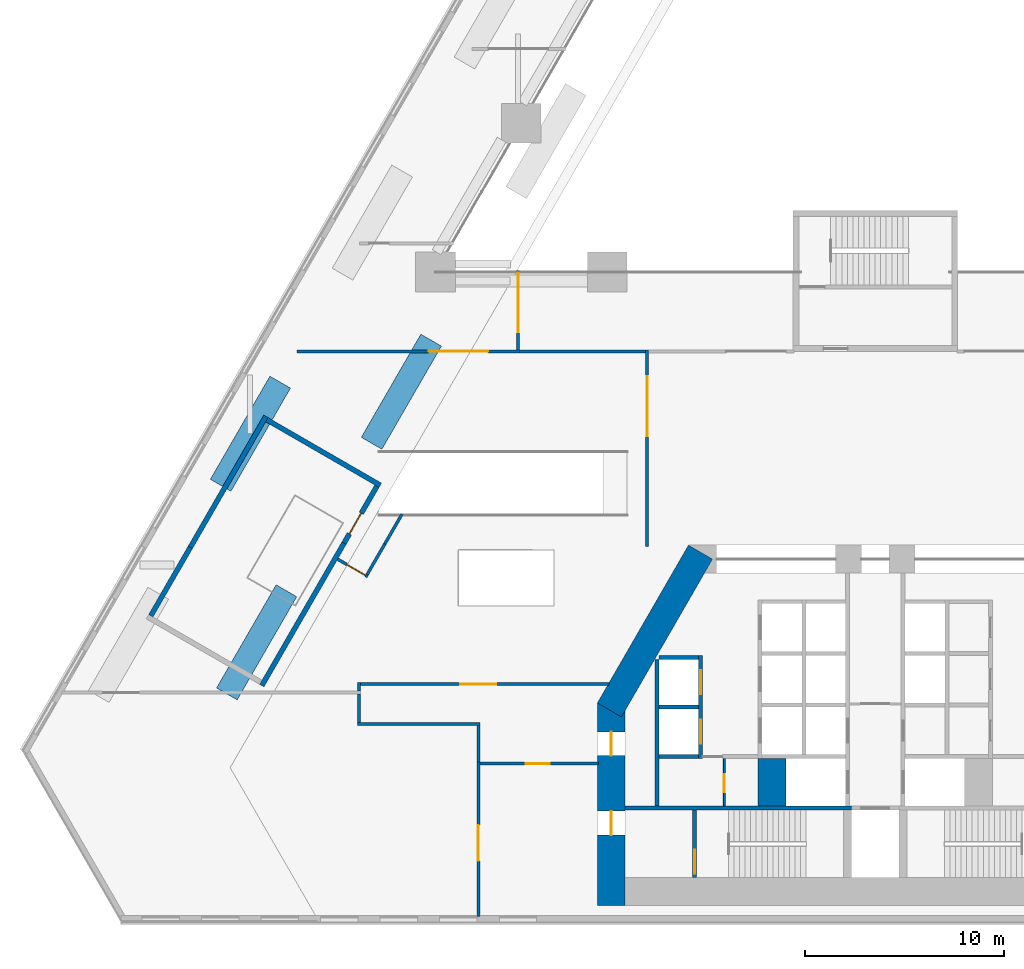
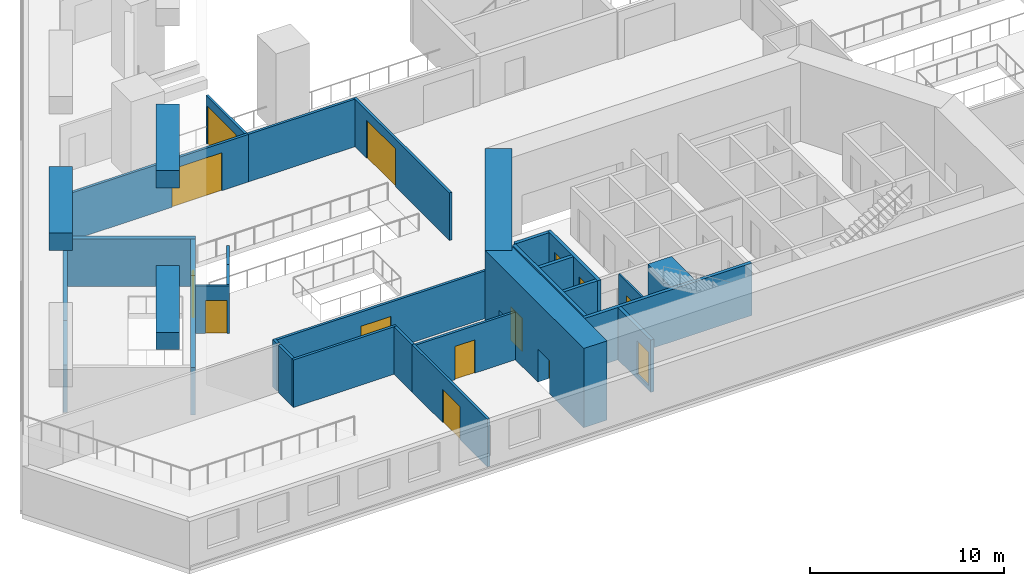
# One storey, part 7 of 19: 33 walls, 14 doors, 14 openings.
"""IFC4 building model written with IfcOpenShell, lengths in metres."""

from ifc_helpers import new_model, si_unit, direction, frame, frame_2d, origin, place, context, subcontext, project, spatial, polyline, rectangle, outline, extrude, material, layer, layer_set, type_object, element, fill, save


model = new_model("IFC4")

# Units and contexts
model_context = context("Model", 3, precision=1e-05, world=origin(), true_north=direction((0.0, 1.0)))
body_context = subcontext(model_context, "Body", "Model", "MODEL_VIEW")
ifc_project = project(units=[si_unit("LENGTHUNIT", "METRE"), si_unit("AREAUNIT", "SQUARE_METRE"), si_unit("VOLUMEUNIT", "CUBIC_METRE"), si_unit("PLANEANGLEUNIT", "RADIAN"), si_unit("MASSUNIT", "GRAM", prefix="KILO")], contexts=[model_context])

# Site, building, storey
site_placement = place(None, origin())
site = spatial("IfcSite", under=ifc_project, at=site_placement, CompositionType="ELEMENT")
building_placement = place(site_placement, origin())
building = spatial("IfcBuilding", under=site, at=building_placement, Name="Fogline Exchange Tower", CompositionType="ELEMENT")
storey_placement = place(building_placement, frame((0.0, 0.0, 20.0)))
storey = spatial("IfcBuildingStorey", under=building, at=storey_placement, Name="L03", CompositionType="ELEMENT", Elevation=20.0)

# Wall, opening, door
ifc_material_1 = material(Name="Blockwork partition", Category="masonry")
ifc_layer_1 = layer(ifc_material_1, 0.10009765625)
ifc_layer_set_1 = layer_set([ifc_layer_1], Name="CW10")
wall_type_1 = type_object("IfcWallType", Name="CW10", PredefinedType="PARTITIONING", material=ifc_layer_set_1)
wall_1_placement = place(storey_placement, frame((-7.60009765625, 5.85009765625, 0.0), z_axis=(0.0, 0.0, 1.0), x_axis=(0.0, 1.0, 0.0)))
wall_1 = element("IfcWall", 1, at=wall_1_placement, inside=storey, type_object=wall_type_1, Name="WC partition", PredefinedType="PARTITIONING", context=body_context, shape_type="SweptSolid", body=[
    extrude(rectangle(XDim=2.39990234375, YDim=0.10009765625, at=frame_2d((1.199951171875, 0.0))), origin(), (0.0, 0.0, 1.0), 3.0),
])
opening_1_placement = place(wall_1_placement, frame((0.699951171875, 0.0, 0.0)))
opening_1 = element("IfcOpeningElement", 2, at=opening_1_placement, cuts=wall_1, Name="Opening P03-C008", PredefinedType="OPENING", context=body_context, shape_type="SweptSolid", body=[
    extrude(rectangle(XDim=0.89990234375, YDim=2.10009765625, at=frame_2d((0.449951171875, 1.050048828125))), frame((0.0, 0.06005859375, 0.0), z_axis=(0.0, -1.0, 0.0), x_axis=(1.0, 0.0, 0.0)), (0.0, 0.0, 1.0), 0.1201171875),
])
ifc_material_2 = material(Name="Steel and timber fire door", Category="steel")
door_type_1 = type_object("IfcDoorType", Name="D-CS1", OperationType="SINGLE_SWING_RIGHT", PredefinedType="DOOR", material=ifc_material_2)
door_1_placement = place(opening_1_placement, frame((0.89990234375, 0.0, 0.0), z_axis=(0.0, 0.0, 1.0), x_axis=(-1.0, 0.0, 0.0)))
door_1 = element("IfcDoor", 3, at=door_1_placement, inside=storey, type_object=door_type_1, Name="Door to Cleaner's Store", OperationType="SINGLE_SWING_RIGHT", OverallHeight=2.10009765625, OverallWidth=0.89990234375, PredefinedType="DOOR", context=body_context, shape_type="SweptSolid", body=[
    extrude(rectangle(XDim=0.89990234375, YDim=2.10009765625, at=frame_2d((0.449951171875, 1.050048828125))), frame((0.0, 0.02490234375, 0.0), z_axis=(0.0, -1.0, 0.0), x_axis=(1.0, 0.0, 0.0)), (0.0, 0.0, 1.0), 0.050048828125),
])
fill(opening_1, door_1)

# Walls
ifc_material_3 = material(Name="Concrete C60", Category="concrete")
ifc_layer_2 = layer(ifc_material_3, 1.39990234375)
ifc_layer_set_2 = layer_set([ifc_layer_2], Name="CW140")
wall_type_2 = type_object("IfcWallType", Name="CW140", PredefinedType="SOLIDWALL", material=ifc_layer_set_2)
wall_2_placement = place(storey_placement, frame((-5.199951171875, 5.85009765625, -0.300048828125), z_axis=(0.0, 0.0, 1.0), x_axis=(0.0, 1.0, 0.0)))
element("IfcWall", 4, at=wall_2_placement, inside=storey, type_object=wall_type_2, Name="Lift shaft block wall", PredefinedType="SOLIDWALL", context=body_context, shape_type="SweptSolid", body=[
    extrude(rectangle(XDim=2.39990234375, YDim=1.39990234375, at=frame_2d((1.199951171875, 0.0))), origin(), (0.0, 0.0, 1.0), 3.300048828125),
])
ifc_material_4 = material(Name="Concrete C40", Category="concrete")
ifc_layer_3 = layer(ifc_material_4, 0.199951171875)
ifc_layer_set_3 = layer_set([ifc_layer_3], Name="CW20")
wall_type_3 = type_object("IfcWallType", Name="CW20", PredefinedType="SOLIDWALL", material=ifc_layer_set_3)
wall_3_placement = place(storey_placement, frame((-11.0, 5.85009765625, 0.0), z_axis=(0.0, 0.0, 1.0), x_axis=(0.0, 1.0, 0.0)))
element("IfcWall", 5, at=wall_3_placement, inside=storey, type_object=wall_type_3, Name="Service room wall", PredefinedType="SOLIDWALL", context=body_context, shape_type="SweptSolid", body=[
    extrude(rectangle(XDim=7.39990234375, YDim=0.199951171875, at=frame_2d((3.699951171875, 0.0))), origin(), (0.0, 0.0, 1.0), 3.0),
])
ifc_layer_4 = layer(ifc_material_4, 0.199951171875)
ifc_layer_set_4 = layer_set([ifc_layer_4], Name="CW20R")
wall_type_4 = type_object("IfcWallType", Name="CW20R", PredefinedType="SOLIDWALL", material=ifc_layer_set_4)
wall_4_placement = place(storey_placement, frame((-12.60009765625, 5.75, -0.300048828125), z_axis=(0.0, 0.0, 1.0), x_axis=(1.0, 0.0, 0.0)))
element("IfcWall", 6, at=wall_4_placement, inside=storey, type_object=wall_type_4, Name="Stair enclosure wall", PredefinedType="SOLIDWALL", context=body_context, shape_type="SweptSolid", body=[
    extrude(rectangle(XDim=11.400146484375, YDim=0.199951171875, at=frame_2d((5.7001953125, 0.0))), origin(), (0.0, 0.0, 1.0), 3.300048828125),
])

# Wall, opening, door
wall_5_placement = place(storey_placement, frame((-9.10009765625, 2.25, -0.300048828125), z_axis=(0.0, 0.0, 1.0), x_axis=(0.0, 1.0, 0.0)))
wall_5 = element("IfcWall", 7, at=wall_5_placement, inside=storey, type_object=wall_type_4, Name="Stair enclosure wall", PredefinedType="SOLIDWALL", context=body_context, shape_type="SweptSolid", body=[
    extrude(rectangle(XDim=3.39990234375, YDim=0.199951171875, at=frame_2d((1.699951171875, 0.0))), origin(), (0.0, 0.0, 1.0), 3.300048828125),
])
opening_2_placement = place(wall_5_placement, frame((0.199951171875, 0.0, 0.300048828125)))
opening_2 = element("IfcOpeningElement", 8, at=opening_2_placement, cuts=wall_5, Name="Opening P03-C010", PredefinedType="OPENING", context=body_context, shape_type="SweptSolid", body=[
    extrude(rectangle(XDim=1.199951171875, YDim=2.10009765625, at=frame_2d((0.60009765625, 1.050048828125))), frame((0.0, 0.10986328125, 0.0), z_axis=(0.0, -1.0, 0.0), x_axis=(1.0, 0.0, 0.0)), (0.0, 0.0, 1.0), 0.219970703125),
])
door_type_2 = type_object("IfcDoorType", Name="D-ST1", OperationType="SINGLE_SWING_LEFT", PredefinedType="DOOR", material=ifc_material_2)
door_2_placement = place(opening_2_placement, frame((1.199951171875, 0.0, 0.0), z_axis=(0.0, 0.0, 1.0), x_axis=(-1.0, 0.0, 0.0)))
door_2 = element("IfcDoor", 9, at=door_2_placement, inside=storey, type_object=door_type_2, Name="Stair door ST1", OperationType="SINGLE_SWING_RIGHT", OverallHeight=2.10009765625, OverallWidth=1.199951171875, PredefinedType="DOOR", context=body_context, shape_type="SweptSolid", body=[
    extrude(rectangle(XDim=1.199951171875, YDim=2.10009765625, at=frame_2d((0.60009765625, 1.050048828125))), frame((0.0, 0.02490234375, 0.0), z_axis=(0.0, -1.0, 0.0), x_axis=(1.0, 0.0, 0.0)), (0.0, 0.0, 1.0), 0.050048828125),
])
fill(opening_2, door_2)

# Wall, openings, doors
ifc_layer_5 = layer(ifc_material_4, 0.199951171875)
ifc_layer_set_5 = layer_set([ifc_layer_5], Name="CW20S")
wall_type_5 = type_object("IfcWallType", Name="CW20S", PredefinedType="SOLIDWALL", material=ifc_layer_set_5)
wall_6_placement = place(storey_placement, frame((-8.800048828125, 8.25, -0.300048828125), z_axis=(0.0, 0.0, 1.0), x_axis=(0.0, 1.0, 0.0)))
wall_6 = element("IfcWall", 10, at=wall_6_placement, inside=storey, type_object=wall_type_5, Name="Lift shaft wall", PredefinedType="SOLIDWALL", context=body_context, shape_type="SweptSolid", body=[
    extrude(rectangle(XDim=5.199951171875, YDim=0.199951171875, at=frame_2d((2.60009765625, 0.0))), origin(), (0.0, 0.0, 1.0), 3.300048828125),
])
opening_3_placement = place(wall_6_placement, frame((0.75, 0.0, 0.300048828125)))
opening_3 = element("IfcOpeningElement", 11, at=opening_3_placement, cuts=wall_6, Name="Opening P03-LD01", PredefinedType="OPENING", context=body_context, shape_type="SweptSolid", body=[
    extrude(rectangle(XDim=1.199951171875, YDim=2.10009765625, at=frame_2d((0.60009765625, 1.050048828125))), frame((0.0, 0.10986328125, 0.0), z_axis=(0.0, -1.0, 0.0), x_axis=(1.0, 0.0, 0.0)), (0.0, 0.0, 1.0), 0.219970703125),
])
opening_4_placement = place(wall_6_placement, frame((3.25, 0.0, 0.300048828125)))
opening_4 = element("IfcOpeningElement", 12, at=opening_4_placement, cuts=wall_6, Name="Opening P03-LD02", PredefinedType="OPENING", context=body_context, shape_type="SweptSolid", body=[
    extrude(rectangle(XDim=1.199951171875, YDim=2.10009765625, at=frame_2d((0.60009765625, 1.050048828125))), frame((0.0, 0.10986328125, 0.0), z_axis=(0.0, -1.0, 0.0), x_axis=(1.0, 0.0, 0.0)), (0.0, 0.0, 1.0), 0.219970703125),
])
door_type_3 = type_object("IfcDoorType", Name="LD1", OperationType="SLIDING_TO_LEFT", PredefinedType="DOOR", material=ifc_material_2)
door_3_placement = place(opening_3_placement, origin())
door_3 = element("IfcDoor", 13, at=door_3_placement, inside=storey, type_object=door_type_3, Name="Landing door LR1", OperationType="SLIDING_TO_LEFT", OverallHeight=2.10009765625, OverallWidth=1.199951171875, PredefinedType="DOOR", context=body_context, shape_type="SweptSolid", body=[
    extrude(rectangle(XDim=1.199951171875, YDim=2.10009765625, at=frame_2d((0.60009765625, 1.050048828125))), frame((0.0, 0.02490234375, 0.0), z_axis=(0.0, -1.0, 0.0), x_axis=(1.0, 0.0, 0.0)), (0.0, 0.0, 1.0), 0.050048828125),
])
fill(opening_3, door_3)
door_4_placement = place(opening_4_placement, origin())
door_4 = element("IfcDoor", 14, at=door_4_placement, inside=storey, type_object=door_type_3, Name="Landing door LR2", OperationType="SLIDING_TO_LEFT", OverallHeight=2.10009765625, OverallWidth=1.199951171875, PredefinedType="DOOR", context=body_context, shape_type="SweptSolid", body=[
    extrude(rectangle(XDim=1.199951171875, YDim=2.10009765625, at=frame_2d((0.60009765625, 1.050048828125))), frame((0.0, 0.02490234375, 0.0), z_axis=(0.0, -1.0, 0.0), x_axis=(1.0, 0.0, 0.0)), (0.0, 0.0, 1.0), 0.050048828125),
])
fill(opening_4, door_4)

# Walls
for number, where, z_axis, x_axis, name in (
    (15, (-10.89990234375, 8.35009765625, -0.300048828125), (0.0, 0.0, 1.0), (1.0, 0.0, 0.0), "Lift shaft wall"),
    (16, (-10.89990234375, 10.85009765625, -0.300048828125), (0.0, 0.0, 1.0), (1.0, 0.0, 0.0), "Lift shaft wall"),
    (17, (-10.89990234375, 13.35009765625, -0.300048828125), (0.0, 0.0, 1.0), (1.0, 0.0, 0.0), "Lift shaft wall"),
):
    element("IfcWall", number, at=place(storey_placement, frame(where, z_axis=z_axis, x_axis=x_axis)), inside=storey, type_object=wall_type_5, Name=name, PredefinedType="SOLIDWALL", context=body_context, shape_type="SweptSolid", body=[
        extrude(rectangle(XDim=2.0, YDim=0.199951171875, at=frame_2d((1.0, 0.0))), origin(), (0.0, 0.0, 1.0), 3.300048828125),
    ])
ifc_material_5 = material(Name="Concrete C30", Category="concrete")
ifc_layer_6 = layer(ifc_material_5, 0.199951171875)
ifc_layer_set_6 = layer_set([ifc_layer_6], Name="PL1")
wall_type_6 = type_object("IfcWallType", Name="PL1", PredefinedType="USERDEFINED", material=ifc_layer_set_6)
wall_7_placement = place(storey_placement, frame((0.0, 0.0, 5.0)))
element("IfcWall", 18, at=wall_7_placement, inside=storey, type_object=wall_type_6, Name="PLANTER podium terrace", ObjectType="PLANTER", PredefinedType="USERDEFINED", context=body_context, shape_type="SweptSolid", body=[
    extrude(outline(polyline([(-33.498779296875, 22.316650390625), (-32.459716796875, 21.716796875), (-29.459716796875, 26.912841796875), (-30.498779296875, 27.5126953125), (-33.498779296875, 22.316650390625)])), origin(), (0.0, 0.0, 1.0), 1.10009765625),
])
wall_8_placement = place(storey_placement, frame((0.0, 0.0, 5.0)))
element("IfcWall", 19, at=wall_8_placement, inside=storey, type_object=wall_type_6, Name="PLANTER podium terrace", ObjectType="PLANTER", PredefinedType="USERDEFINED", context=body_context, shape_type="SweptSolid", body=[
    extrude(outline(polyline([(-21.856689453125, 29.02880859375), (-22.89599609375, 29.62890625), (-25.89599609375, 24.4326171875), (-24.856689453125, 23.832763671875), (-21.856689453125, 29.02880859375)])), origin(), (0.0, 0.0, 1.0), 1.10009765625),
])
wall_9_placement = place(storey_placement, frame((0.0, 0.0, 5.0)))
element("IfcWall", 20, at=wall_9_placement, inside=storey, type_object=wall_type_6, Name="PLANTER podium terrace", ObjectType="PLANTER", PredefinedType="USERDEFINED", context=body_context, shape_type="SweptSolid", body=[
    extrude(outline(polyline([(-29.1455078125, 16.404541015625), (-30.184814453125, 17.00439453125), (-33.184814453125, 11.808349609375), (-32.1455078125, 11.208251953125), (-29.1455078125, 16.404541015625)])), origin(), (0.0, 0.0, 1.0), 1.10009765625),
])

# Wall, opening, door
ifc_material_6 = material(Name="Plasterboard on steel stud", Category="steel")
ifc_layer_7 = layer(ifc_material_6, 0.14990234375)
ifc_layer_set_7 = layer_set([ifc_layer_7], Name="PP1")
wall_type_7 = type_object("IfcWallType", Name="PP1", PredefinedType="PARTITIONING", material=ifc_layer_set_7)
wall_10_placement = place(storey_placement, frame((-19.925048828125, 8.0, 0.0), z_axis=(0.0, 0.0, 1.0), x_axis=(1.0, 0.0, 0.0)))
wall_10 = element("IfcWall", 21, at=wall_10_placement, inside=storey, type_object=wall_type_7, Name="PP1 partition", PredefinedType="PARTITIONING", context=body_context, shape_type="SweptSolid", body=[
    extrude(rectangle(XDim=5.969970703125, YDim=0.14990234375, at=frame_2d((2.98486328125, 0.0))), origin(), (0.0, 0.0, 1.0), 3.0),
])
opening_5_placement = place(wall_10_placement, frame((2.324951171875, 0.0, 0.0)))
opening_5 = element("IfcOpeningElement", 22, at=opening_5_placement, cuts=wall_10, Name="Opening P03-D008", PredefinedType="OPENING", context=body_context, shape_type="SweptSolid", body=[
    extrude(rectangle(XDim=1.199951171875, YDim=2.10009765625, at=frame_2d((0.60009765625, 1.050048828125))), frame((0.0, 0.0849609375, 0.0), z_axis=(0.0, -1.0, 0.0), x_axis=(1.0, 0.0, 0.0)), (0.0, 0.0, 1.0), 0.169921875),
])
ifc_material_7 = material(Name="Steel Q235B", Category="steel")
door_type_4 = type_object("IfcDoorType", Name="PD7", OperationType="SINGLE_SWING_LEFT", PredefinedType="DOOR", material=ifc_material_7)
door_5_placement = place(opening_5_placement, origin())
door_5 = element("IfcDoor", 23, at=door_5_placement, inside=storey, type_object=door_type_4, Name="P03-D008", OperationType="SINGLE_SWING_LEFT", OverallHeight=2.10009765625, OverallWidth=1.199951171875, PredefinedType="DOOR", context=body_context, shape_type="SweptSolid", body=[
    extrude(rectangle(XDim=1.199951171875, YDim=2.10009765625, at=frame_2d((0.60009765625, 1.050048828125))), frame((0.0, 0.02490234375, 0.0), z_axis=(0.0, -1.0, 0.0), x_axis=(1.0, 0.0, 0.0)), (0.0, 0.0, 1.0), 0.050048828125),
])
fill(opening_5, door_5)

wall_11_placement = place(storey_placement, frame((-20.0, 8.074951171875, 0.0), z_axis=(0.0, 0.0, 1.0), x_axis=(0.0, -1.0, 0.0)))
wall_11 = element("IfcWall", 24, at=wall_11_placement, inside=storey, type_object=wall_type_7, Name="PP1 partition", PredefinedType="PARTITIONING", context=body_context, shape_type="SweptSolid", body=[
    extrude(rectangle(XDim=7.780029296875, YDim=0.14990234375, at=frame_2d((3.89013671875, 0.0))), origin(), (0.0, 0.0, 1.0), 3.0),
])
opening_6_placement = place(wall_11_placement, frame((3.175048828125, 0.0, 0.0)))
opening_6 = element("IfcOpeningElement", 25, at=opening_6_placement, cuts=wall_11, Name="Opening P03-D013", PredefinedType="OPENING", context=body_context, shape_type="SweptSolid", body=[
    extrude(rectangle(XDim=1.800048828125, YDim=2.10009765625, at=frame_2d((0.89990234375, 1.050048828125))), frame((0.0, 0.0849609375, 0.0), z_axis=(0.0, -1.0, 0.0), x_axis=(1.0, 0.0, 0.0)), (0.0, 0.0, 1.0), 0.169921875),
])
ifc_material_8 = material(Name="Timber", Category="wood")
door_type_5 = type_object("IfcDoorType", Name="PD3", OperationType="DOUBLE_DOOR_SINGLE_SWING", PredefinedType="DOOR", material=ifc_material_8)
door_6_placement = place(opening_6_placement, frame((1.800048828125, 0.0, 0.0), z_axis=(0.0, 0.0, 1.0), x_axis=(-1.0, 0.0, 0.0)))
door_6 = element("IfcDoor", 26, at=door_6_placement, inside=storey, type_object=door_type_5, Name="P03-D013", OperationType="DOUBLE_DOOR_SINGLE_SWING", OverallHeight=2.10009765625, OverallWidth=1.800048828125, PredefinedType="DOOR", context=body_context, shape_type="SweptSolid", body=[
    extrude(rectangle(XDim=1.800048828125, YDim=2.10009765625, at=frame_2d((0.89990234375, 1.050048828125))), frame((0.0, 0.02490234375, 0.0), z_axis=(0.0, -1.0, 0.0), x_axis=(1.0, 0.0, 0.0)), (0.0, 0.0, 1.0), 0.050048828125),
])
fill(opening_6, door_6)

# Walls
wall_12_placement = place(storey_placement, frame((-20.0, 9.925048828125, 0.0), z_axis=(0.0, 0.0, 1.0), x_axis=(0.0, -1.0, 0.0)))
element("IfcWall", 27, at=wall_12_placement, inside=storey, type_object=wall_type_7, Name="PP1 partition", PredefinedType="PARTITIONING", context=body_context, shape_type="SweptSolid", body=[
    extrude(rectangle(XDim=1.85009765625, YDim=0.14990234375, at=frame_2d((0.925048828125, 0.0))), origin(), (0.0, 0.0, 1.0), 3.0),
])
wall_13_placement = place(storey_placement, frame((-26.074951171875, 10.0, 0.0), z_axis=(0.0, 0.0, 1.0), x_axis=(1.0, 0.0, 0.0)))
element("IfcWall", 28, at=wall_13_placement, inside=storey, type_object=wall_type_7, Name="PP1 partition", PredefinedType="PARTITIONING", context=body_context, shape_type="SweptSolid", body=[
    extrude(rectangle(XDim=6.14990234375, YDim=0.14990234375, at=frame_2d((3.074951171875, 0.0))), origin(), (0.0, 0.0, 1.0), 3.0),
])
wall_14_placement = place(storey_placement, frame((-26.0, 11.4951171875, 0.0), z_axis=(0.0, 0.0, 1.0), x_axis=(0.0, -1.0, 0.0)))
element("IfcWall", 29, at=wall_14_placement, inside=storey, type_object=wall_type_7, Name="PP1 partition", PredefinedType="PARTITIONING", context=body_context, shape_type="SweptSolid", body=[
    extrude(rectangle(XDim=1.420166015625, YDim=0.14990234375, at=frame_2d((0.7099609375, 0.0))), origin(), (0.0, 0.0, 1.0), 3.0),
])
wall_15_placement = place(storey_placement, frame((-26.0, 11.64501953125, 0.0), z_axis=(0.0, 0.0, 1.0), x_axis=(0.0, 1.0, 0.0)))
element("IfcWall", 30, at=wall_15_placement, inside=storey, type_object=wall_type_7, Name="PP1 partition", PredefinedType="PARTITIONING", context=body_context, shape_type="SweptSolid", body=[
    extrude(rectangle(XDim=0.429931640625, YDim=0.14990234375, at=frame_2d((0.21484375, 0.0))), origin(), (0.0, 0.0, 1.0), 3.0),
])

# Wall, opening, door
wall_16_placement = place(storey_placement, frame((-25.925048828125, 12.0, 0.0), z_axis=(0.0, 0.0, 1.0), x_axis=(1.0, 0.0, 0.0)))
wall_16 = element("IfcWall", 31, at=wall_16_placement, inside=storey, type_object=wall_type_7, Name="PP1 partition", PredefinedType="PARTITIONING", context=body_context, shape_type="SweptSolid", body=[
    extrude(rectangle(XDim=12.512451171875, YDim=0.14990234375, at=frame_2d((6.25634765625, 0.0))), origin(), (0.0, 0.0, 1.0), 3.0),
])
opening_7_placement = place(wall_16_placement, frame((5.02490234375, 0.0, 0.0)))
opening_7 = element("IfcOpeningElement", 32, at=opening_7_placement, cuts=wall_16, Name="Opening P03-D010", PredefinedType="OPENING", context=body_context, shape_type="SweptSolid", body=[
    extrude(rectangle(XDim=1.800048828125, YDim=2.10009765625, at=frame_2d((0.89990234375, 1.050048828125))), frame((0.0, 0.0849609375, 0.0), z_axis=(0.0, -1.0, 0.0), x_axis=(1.0, 0.0, 0.0)), (0.0, 0.0, 1.0), 0.169921875),
])
door_7_placement = place(opening_7_placement, frame((1.800048828125, 0.0, 0.0), z_axis=(0.0, 0.0, 1.0), x_axis=(-1.0, 0.0, 0.0)))
door_7 = element("IfcDoor", 33, at=door_7_placement, inside=storey, type_object=door_type_5, Name="P03-D010", OperationType="DOUBLE_DOOR_SINGLE_SWING", OverallHeight=2.10009765625, OverallWidth=1.800048828125, PredefinedType="DOOR", context=body_context, shape_type="SweptSolid", body=[
    extrude(rectangle(XDim=1.800048828125, YDim=2.10009765625, at=frame_2d((0.89990234375, 1.050048828125))), frame((0.0, 0.02490234375, 0.0), z_axis=(0.0, -1.0, 0.0), x_axis=(1.0, 0.0, 0.0)), (0.0, 0.0, 1.0), 0.050048828125),
])
fill(opening_7, door_7)

wall_17_placement = place(storey_placement, frame((-25.57080078125, 17.41943359375, 0.0), z_axis=(0.0, 0.0, 1.0), x_axis=(-0.866046247233, 0.49996389635, 0.0)))
wall_17 = element("IfcWall", 34, at=wall_17_placement, inside=storey, type_object=wall_type_7, Name="PP1 partition", PredefinedType="PARTITIONING", context=body_context, shape_type="SweptSolid", body=[
    extrude(rectangle(XDim=1.750732421875, YDim=0.14990234375, at=frame_2d((0.87548828125, 0.0))), origin(), (0.0, 0.0, 1.0), 3.0),
])
opening_8_placement = place(wall_17_placement, frame((0.1201171875, 0.0, 0.0)))
opening_8 = element("IfcOpeningElement", 35, at=opening_8_placement, cuts=wall_17, Name="Opening P03-D003", PredefinedType="OPENING", context=body_context, shape_type="SweptSolid", body=[
    extrude(rectangle(XDim=1.10009765625, YDim=2.10009765625, at=frame_2d((0.550048828125, 1.050048828125))), frame((0.0, 0.0849609375, 0.0), z_axis=(0.0, -1.0, 0.0), x_axis=(1.0, 0.0, 0.0)), (0.0, 0.0, 1.0), 0.169921875),
])
door_type_6 = type_object("IfcDoorType", Name="PD5", OperationType="SINGLE_SWING_LEFT", PredefinedType="DOOR", material=ifc_material_7)
door_8_placement = place(opening_8_placement, origin())
door_8 = element("IfcDoor", 36, at=door_8_placement, inside=storey, type_object=door_type_6, Name="P03-D003", OperationType="SINGLE_SWING_LEFT", OverallHeight=2.10009765625, OverallWidth=1.10009765625, PredefinedType="DOOR", context=body_context, shape_type="SweptSolid", body=[
    extrude(rectangle(XDim=1.10009765625, YDim=2.10009765625, at=frame_2d((0.550048828125, 1.050048828125))), frame((0.0, 0.02490234375, 0.0), z_axis=(0.0, -1.0, 0.0), x_axis=(1.0, 0.0, 0.0)), (0.0, 0.0, 1.0), 0.050048828125),
])
fill(opening_8, door_8)

# Walls
wall_18_placement = place(storey_placement, frame((-24.707275390625, 19.06494140625, 0.0), z_axis=(0.0, 0.0, 1.0), x_axis=(-0.500058459303, -0.865991649659, 0.0)))
element("IfcWall", 37, at=wall_18_placement, inside=storey, type_object=wall_type_7, Name="PP1 partition", PredefinedType="PARTITIONING", context=body_context, shape_type="SweptSolid", body=[
    extrude(rectangle(XDim=1.781982421875, YDim=0.14990234375, at=frame_2d((0.89111328125, 0.0))), origin(), (0.0, 0.0, 1.0), 3.0),
])
wall_19_placement = place(storey_placement, frame((-23.84130859375, 20.56494140625, 0.0), z_axis=(0.0, 0.0, 1.0), x_axis=(-0.500019299785, -0.866014260761, 0.0)))
element("IfcWall", 38, at=wall_19_placement, inside=storey, type_object=wall_type_7, Name="PP1 partition", PredefinedType="PARTITIONING", context=body_context, shape_type="SweptSolid", body=[
    extrude(rectangle(XDim=1.732421875, YDim=0.14990234375, at=frame_2d((0.8662109375, 0.0))), origin(), (0.0, 0.0, 1.0), 3.0),
])

# Wall, opening, door
wall_20_placement = place(storey_placement, frame((-29.12646484375, 28.760009765625, 0.0), z_axis=(0.0, 0.0, 1.0), x_axis=(1.0, 0.0, 0.0)))
wall_20 = element("IfcWall", 39, at=wall_20_placement, inside=storey, type_object=wall_type_7, Name="PP1 partition", PredefinedType="PARTITIONING", context=body_context, shape_type="SweptSolid", body=[
    extrude(rectangle(XDim=11.201416015625, YDim=0.14990234375, at=frame_2d((5.6005859375, 0.0))), origin(), (0.0, 0.0, 1.0), 3.0),
])
opening_9_placement = place(wall_20_placement, frame((6.62646484375, 0.0, 0.0)))
opening_9 = element("IfcOpeningElement", 40, at=opening_9_placement, cuts=wall_20, Name="Opening P03-D028", PredefinedType="OPENING", context=body_context, shape_type="SweptSolid", body=[
    extrude(rectangle(XDim=3.0, YDim=2.39990234375, at=frame_2d((1.5, 1.199951171875))), frame((0.0, 0.0849609375, 0.0), z_axis=(0.0, -1.0, 0.0), x_axis=(1.0, 0.0, 0.0)), (0.0, 0.0, 1.0), 0.169921875),
])
door_type_7 = type_object("IfcDoorType", Name="PD13", OperationType="DOUBLE_DOOR_SINGLE_SWING", PredefinedType="DOOR", material=ifc_material_7)
door_9_placement = place(opening_9_placement, origin())
door_9 = element("IfcDoor", 41, at=door_9_placement, inside=storey, type_object=door_type_7, Name="P03-D028", OperationType="DOUBLE_DOOR_SINGLE_SWING", OverallHeight=2.39990234375, OverallWidth=3.0, PredefinedType="DOOR", context=body_context, shape_type="SweptSolid", body=[
    extrude(rectangle(XDim=3.0, YDim=2.39990234375, at=frame_2d((1.5, 1.199951171875))), frame((0.0, 0.02490234375, 0.0), z_axis=(0.0, -1.0, 0.0), x_axis=(1.0, 0.0, 0.0)), (0.0, 0.0, 1.0), 0.050048828125),
])
fill(opening_9, door_9)

# Wall
wall_21_placement = place(storey_placement, frame((-17.925048828125, 28.760009765625, 0.0), z_axis=(0.0, 0.0, 1.0), x_axis=(1.0, 0.0, 0.0)))
element("IfcWall", 42, at=wall_21_placement, inside=storey, type_object=wall_type_7, Name="PP1 partition", PredefinedType="PARTITIONING", context=body_context, shape_type="SweptSolid", body=[
    extrude(rectangle(XDim=6.35009765625, YDim=0.14990234375, at=frame_2d((3.175048828125, 0.0))), origin(), (0.0, 0.0, 1.0), 3.0),
])

# Wall, opening, door
wall_22_placement = place(storey_placement, frame((-11.5, 28.8349609375, 0.0), z_axis=(0.0, 0.0, 1.0), x_axis=(0.0, -1.0, 0.0)))
wall_22 = element("IfcWall", 43, at=wall_22_placement, inside=storey, type_object=wall_type_7, Name="PP1 partition", PredefinedType="PARTITIONING", context=body_context, shape_type="SweptSolid", body=[
    extrude(rectangle(XDim=9.909912109375, YDim=0.14990234375, at=frame_2d((4.955078125, 0.0))), origin(), (0.0, 0.0, 1.0), 3.0),
])
opening_10_placement = place(wall_22_placement, frame((1.3349609375, 0.0, 0.0)))
opening_10 = element("IfcOpeningElement", 44, at=opening_10_placement, cuts=wall_22, Name="Opening P03-D018", PredefinedType="OPENING", context=body_context, shape_type="SweptSolid", body=[
    extrude(rectangle(XDim=3.0, YDim=2.39990234375, at=frame_2d((1.5, 1.199951171875))), frame((0.0, 0.0849609375, 0.0), z_axis=(0.0, -1.0, 0.0), x_axis=(1.0, 0.0, 0.0)), (0.0, 0.0, 1.0), 0.169921875),
])
door_10_placement = place(opening_10_placement, frame((3.0, 0.0, 0.0), z_axis=(0.0, 0.0, 1.0), x_axis=(-1.0, 0.0, 0.0)))
door_10 = element("IfcDoor", 45, at=door_10_placement, inside=storey, type_object=door_type_7, Name="P03-D018", OperationType="DOUBLE_DOOR_SINGLE_SWING", OverallHeight=2.39990234375, OverallWidth=3.0, PredefinedType="DOOR", context=body_context, shape_type="SweptSolid", body=[
    extrude(rectangle(XDim=3.0, YDim=2.39990234375, at=frame_2d((1.5, 1.199951171875))), frame((0.0, 0.02490234375, 0.0), z_axis=(0.0, -1.0, 0.0), x_axis=(1.0, 0.0, 0.0)), (0.0, 0.0, 1.0), 0.050048828125),
])
fill(opening_10, door_10)

wall_23_placement = place(storey_placement, frame((-18.0, 32.8349609375, 0.0), z_axis=(0.0, 0.0, 1.0), x_axis=(0.0, -1.0, 0.0)))
wall_23 = element("IfcWall", 46, at=wall_23_placement, inside=storey, type_object=wall_type_7, Name="PP1 partition", PredefinedType="PARTITIONING", context=body_context, shape_type="SweptSolid", body=[
    extrude(rectangle(XDim=4.0, YDim=0.14990234375, at=frame_2d((2.0, 0.0))), origin(), (0.0, 0.0, 1.0), 3.0),
])
opening_11_placement = place(wall_23_placement, frame((0.1201171875, 0.0, 0.0)))
opening_11 = element("IfcOpeningElement", 47, at=opening_11_placement, cuts=wall_23, Name="Opening P03-D026", PredefinedType="OPENING", context=body_context, shape_type="SweptSolid", body=[
    extrude(rectangle(XDim=3.0, YDim=2.39990234375, at=frame_2d((1.5, 1.199951171875))), frame((0.0, 0.0849609375, 0.0), z_axis=(0.0, -1.0, 0.0), x_axis=(1.0, 0.0, 0.0)), (0.0, 0.0, 1.0), 0.169921875),
])
door_11_placement = place(opening_11_placement, frame((3.0, 0.0, 0.0), z_axis=(0.0, 0.0, 1.0), x_axis=(-1.0, 0.0, 0.0)))
door_11 = element("IfcDoor", 48, at=door_11_placement, inside=storey, type_object=door_type_7, Name="P03-D026", OperationType="DOUBLE_DOOR_SINGLE_SWING", OverallHeight=2.39990234375, OverallWidth=3.0, PredefinedType="DOOR", context=body_context, shape_type="SweptSolid", body=[
    extrude(rectangle(XDim=3.0, YDim=2.39990234375, at=frame_2d((1.5, 1.199951171875))), frame((0.0, 0.02490234375, 0.0), z_axis=(0.0, -1.0, 0.0), x_axis=(1.0, 0.0, 0.0)), (0.0, 0.0, 1.0), 0.050048828125),
])
fill(opening_11, door_11)

# Walls
ifc_layer_8 = layer(ifc_material_4, 0.25)
ifc_layer_set_8 = layer_set([ifc_layer_8], Name="PP3")
wall_type_8 = type_object("IfcWallType", Name="PP3", PredefinedType="SOLIDWALL", material=ifc_layer_set_8)
wall_24_placement = place(storey_placement, frame((-36.497802734375, 15.442626953125, 0.0), z_axis=(0.0, 0.0, 1.0), x_axis=(0.499989551455, 0.866031436171, 0.0)))
element("IfcWall", 49, at=wall_24_placement, inside=storey, type_object=wall_type_8, Name="PP3 bearing wall", PredefinedType="SOLIDWALL", context=body_context, shape_type="SweptSolid", body=[
    extrude(rectangle(XDim=3.982421875, YDim=0.25, at=frame_2d((1.9912109375, 0.0))), origin(), (0.0, 0.0, 1.0), 3.0),
])
wall_25_placement = place(storey_placement, frame((-34.506591796875, 18.8916015625, 0.0), z_axis=(0.0, 0.0, 1.0), x_axis=(0.499958264338, 0.866049498539, 0.0)))
element("IfcWall", 50, at=wall_25_placement, inside=storey, type_object=wall_type_8, Name="PP3 bearing wall", PredefinedType="SOLIDWALL", context=body_context, shape_type="SweptSolid", body=[
    extrude(rectangle(XDim=7.617919921875, YDim=0.25, at=frame_2d((3.80908203125, 0.0))), origin(), (0.0, 0.0, 1.0), 3.0),
])
wall_26_placement = place(storey_placement, frame((-26.7607421875, 19.1083984375, 0.0), z_axis=(0.0, 0.0, 1.0), x_axis=(-0.499979843709, -0.866037040711, 0.0)))
element("IfcWall", 51, at=wall_26_placement, inside=storey, type_object=wall_type_8, Name="PP3 bearing wall", PredefinedType="SOLIDWALL", context=body_context, shape_type="SweptSolid", body=[
    extrude(rectangle(XDim=8.292724609375, YDim=0.25, at=frame_2d((4.146484375, 0.0))), origin(), (0.0, 0.0, 1.0), 3.0),
])

# Wall, opening, door
wall_27_placement = place(storey_placement, frame((-25.107177734375, 21.972412109375, 0.0), z_axis=(0.0, 0.0, 1.0), x_axis=(-0.500005757777, -0.866022079505, 0.0)))
wall_27 = element("IfcWall", 52, at=wall_27_placement, inside=storey, type_object=wall_type_8, Name="PP3 bearing wall", PredefinedType="SOLIDWALL", context=body_context, shape_type="SweptSolid", body=[
    extrude(rectangle(XDim=3.30712890625, YDim=0.25, at=frame_2d((1.653564453125, 0.0))), origin(), (0.0, 0.0, 1.0), 3.0),
])
opening_12_placement = place(wall_27_placement, frame((1.574951171875, 0.0, 0.0)))
opening_12 = element("IfcOpeningElement", 53, at=opening_12_placement, cuts=wall_27, Name="Opening P03-D002", PredefinedType="OPENING", context=body_context, shape_type="SweptSolid", body=[
    extrude(rectangle(XDim=1.199951171875, YDim=2.10009765625, at=frame_2d((0.60009765625, 1.050048828125))), frame((0.0, 0.135009765625, 0.0), z_axis=(0.0, -1.0, 0.0), x_axis=(1.0, 0.0, 0.0)), (0.0, 0.0, 1.0), 0.27001953125),
])
door_12_placement = place(opening_12_placement, origin())
door_12 = element("IfcDoor", 54, at=door_12_placement, inside=storey, type_object=door_type_4, Name="P03-D002", OperationType="SINGLE_SWING_RIGHT", OverallHeight=2.10009765625, OverallWidth=1.199951171875, PredefinedType="DOOR", context=body_context, shape_type="SweptSolid", body=[
    extrude(rectangle(XDim=1.199951171875, YDim=2.10009765625, at=frame_2d((0.60009765625, 1.050048828125))), frame((0.0, 0.02490234375, 0.0), z_axis=(0.0, -1.0, 0.0), x_axis=(1.0, 0.0, 0.0)), (0.0, 0.0, 1.0), 0.050048828125),
])
fill(opening_12, door_12)

# Walls
wall_28_placement = place(storey_placement, frame((-30.652099609375, 25.318115234375, 0.0), z_axis=(0.0, 0.0, 1.0), x_axis=(0.866040211805, -0.499974350878, 0.0)))
element("IfcWall", 55, at=wall_28_placement, inside=storey, type_object=wall_type_8, Name="PP3 bearing wall", PredefinedType="SOLIDWALL", context=body_context, shape_type="SweptSolid", body=[
    extrude(rectangle(XDim=6.599853515625, YDim=0.25, at=frame_2d((3.2998046875, 0.0))), origin(), (0.0, 0.0, 1.0), 3.0),
])
ifc_layer_9 = layer(ifc_material_3, 1.39990234375)
ifc_layer_set_9 = layer_set([ifc_layer_9], Name="SW01")
wall_type_9 = type_object("IfcWallType", Name="SW01", PredefinedType="SHEAR", material=ifc_layer_set_9)
wall_29_placement = place(storey_placement, frame((-8.805419921875, 18.64990234375, 0.0), z_axis=(0.0, 0.0, 1.0), x_axis=(-0.50000187635, -0.866024320471, 0.0)))
element("IfcWall", 56, at=wall_29_placement, inside=storey, type_object=wall_type_9, Name="L03-W905", PredefinedType="SHEAR", context=body_context, shape_type="SweptSolid", body=[
    extrude(rectangle(XDim=9.1767578125, YDim=1.39990234375, at=frame_2d((4.58837890625, 0.0))), origin(), (0.0, 0.0, 1.0), 5.0),
])

# Wall, openings, doors
wall_30_placement = place(storey_placement, frame((-13.300048828125, 11.052490234375, 0.0), z_axis=(0.0, 0.0, 1.0), x_axis=(0.0, -1.0, 0.0)))
wall_30 = element("IfcWall", 57, at=wall_30_placement, inside=storey, type_object=wall_type_9, Name="L03-W906", PredefinedType="SHEAR", context=body_context, shape_type="SweptSolid", body=[
    extrude(rectangle(XDim=10.202392578125, YDim=1.39990234375, at=frame_2d((5.10107421875, 0.0))), origin(), (0.0, 0.0, 1.0), 5.0),
])
opening_13_placement = place(wall_30_placement, frame((5.45263671875, 0.0, 0.0)))
opening_13 = element("IfcOpeningElement", 58, at=opening_13_placement, cuts=wall_30, Name="Opening P03-C009", PredefinedType="OPENING", context=body_context, shape_type="SweptSolid", body=[
    extrude(rectangle(XDim=1.199951171875, YDim=2.10009765625, at=frame_2d((0.60009765625, 1.050048828125))), frame((0.0, 0.7099609375, 0.0), z_axis=(0.0, -1.0, 0.0), x_axis=(1.0, 0.0, 0.0)), (0.0, 0.0, 1.0), 1.419921875),
])
opening_14_placement = place(wall_30_placement, frame((1.45263671875, 0.0, 0.0)))
opening_14 = element("IfcOpeningElement", 59, at=opening_14_placement, cuts=wall_30, Name="Opening P03-C011", PredefinedType="OPENING", context=body_context, shape_type="SweptSolid", body=[
    extrude(rectangle(XDim=1.199951171875, YDim=2.10009765625, at=frame_2d((0.60009765625, 1.050048828125))), frame((0.0, 0.7099609375, 0.0), z_axis=(0.0, -1.0, 0.0), x_axis=(1.0, 0.0, 0.0)), (0.0, 0.0, 1.0), 1.419921875),
])
door_type_8 = type_object("IfcDoorType", Name="D-FR1", OperationType="SINGLE_SWING_RIGHT", PredefinedType="DOOR", material=ifc_material_2)
door_13_placement = place(opening_13_placement, origin())
door_13 = element("IfcDoor", 60, at=door_13_placement, inside=storey, type_object=door_type_8, Name="Front room door ST1", OperationType="SINGLE_SWING_LEFT", OverallHeight=2.10009765625, OverallWidth=1.199951171875, PredefinedType="DOOR", context=body_context, shape_type="SweptSolid", body=[
    extrude(rectangle(XDim=1.199951171875, YDim=2.10009765625, at=frame_2d((0.60009765625, 1.050048828125))), frame((0.0, 0.02490234375, 0.0), z_axis=(0.0, -1.0, 0.0), x_axis=(1.0, 0.0, 0.0)), (0.0, 0.0, 1.0), 0.050048828125),
])
fill(opening_13, door_13)
door_type_9 = type_object("IfcDoorType", Name="D-SV1", OperationType="SINGLE_SWING_LEFT", PredefinedType="DOOR", material=ifc_material_2)
door_14_placement = place(opening_14_placement, origin())
door_14 = element("IfcDoor", 61, at=door_14_placement, inside=storey, type_object=door_type_9, Name="Service door W", OperationType="SINGLE_SWING_LEFT", OverallHeight=2.10009765625, OverallWidth=1.199951171875, PredefinedType="DOOR", context=body_context, shape_type="SweptSolid", body=[
    extrude(rectangle(XDim=1.199951171875, YDim=2.10009765625, at=frame_2d((0.60009765625, 1.050048828125))), frame((0.0, 0.02490234375, 0.0), z_axis=(0.0, -1.0, 0.0), x_axis=(1.0, 0.0, 0.0)), (0.0, 0.0, 1.0), 0.050048828125),
])
fill(opening_14, door_14)

save(model, "model.ifc")
